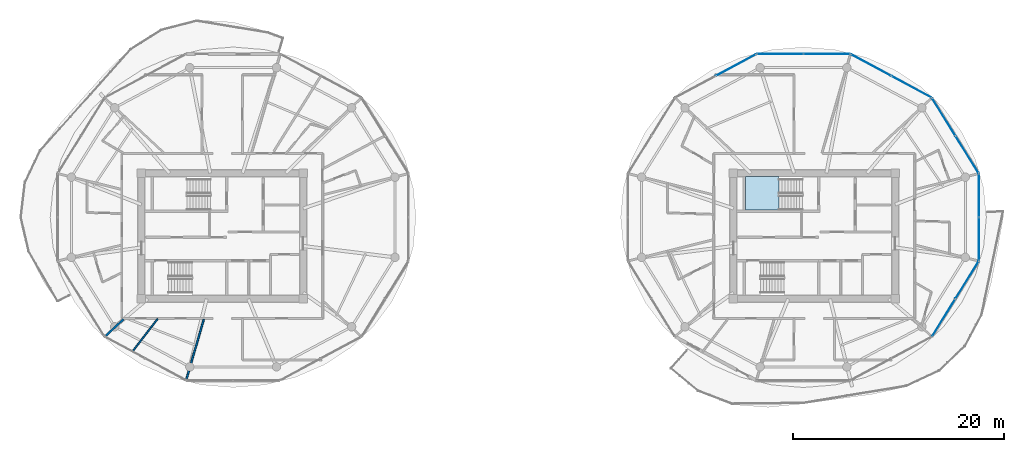
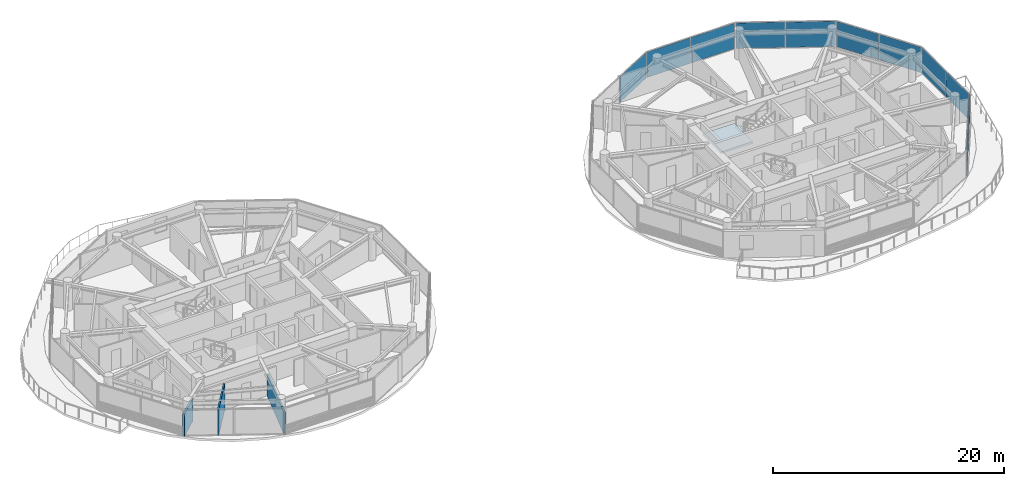
# One storey, part 12 of 24: 11 plates, 3 walls, 1 slab, 7 elements without a shape of their own.
"""IFC4 building model written with IfcOpenShell, lengths in metres."""

from ifc_helpers import new_model, si_unit, direction, frame, frame_2d, origin, origin_2d, place, context, subcontext, project, spatial, polyline, rectangle, outline, extrude, source, transform, mapped, material, layer, layer_set, type_object, type_shapes, element, aggregate, save


model = new_model("IFC4")

# Units and contexts
model_context = context("Model", 3, precision=1e-05, world=origin(), true_north=direction((0.0, 1.0)))
body_context = subcontext(model_context, "Body", "Model", "MODEL_VIEW")
ifc_project = project(units=[si_unit("LENGTHUNIT", "METRE"), si_unit("AREAUNIT", "SQUARE_METRE"), si_unit("VOLUMEUNIT", "CUBIC_METRE"), si_unit("PLANEANGLEUNIT", "RADIAN"), si_unit("MASSUNIT", "GRAM", prefix="KILO")], contexts=[model_context])

# Site, building, storey
site_placement = place(None, origin())
site = spatial("IfcSite", under=ifc_project, at=site_placement, CompositionType="ELEMENT")
building_placement = place(site_placement, origin())
building = spatial("IfcBuilding", under=site, at=building_placement, Name="Norrkilde Senior Care Towers", CompositionType="ELEMENT")
storey_placement = place(building_placement, frame((0.0, 0.0, 155.64990234375)))
storey = spatial("IfcBuildingStorey", under=building, at=storey_placement, Name="L48", CompositionType="ELEMENT", Elevation=155.64990234375)

# Stair, slab
ifc_material_1 = material(Name="Concrete C45/55", Category="concrete")
stair_type = type_object("IfcStairType", Name="Core Protected Dogleg Stair Typical 3050", PredefinedType="HALF_TURN_STAIR", material=ifc_material_1)
stair_placement = place(storey_placement, origin())
stair = element("IfcStair", 1, at=stair_placement, inside=storey, type_object=stair_type, Name="L48 Protected Core Stair E1", PredefinedType="HALF_TURN_STAIR")
ifc_layer_1 = layer(ifc_material_1, 0.199951171875)
ifc_layer_set_1 = layer_set([ifc_layer_1], Name="Concrete C45/55")
slab_type = type_object("IfcSlabType", Name="Stair Landing Slab 200", PredefinedType="LANDING", material=ifc_layer_set_1)
slab_placement = place(storey_placement, frame((0.0, 0.0, 1.3251953125)))
slab = element("IfcSlab", 2, at=slab_placement, type_object=slab_type, Name="ST-E1 landing 1", PredefinedType="LANDING", context=body_context, shape_type="SweptSolid", body=[
    extrude(outline(polyline([(24.659912109375, 5.639892578125), (21.5, 5.639892578125), (21.5, 2.449951171875), (24.659912109375, 2.449951171875), (24.659912109375, 5.639892578125)])), origin(), (0.0, 0.0, 1.0), 0.199951171875),
])
aggregate(stair, [slab])

# Curtain wall, plates
ifc_material_2 = material(Name="Triple Low-E Insulated Glazing", Category="glass")
ifc_layer_2 = layer(ifc_material_2, 0.18994140625)
ifc_layer_set_2 = layer_set([ifc_layer_2], Name="Triple Low-E Insulated Glazing")
curtain_wall_type = type_object("IfcCurtainWallType", Name="CW4 Zone 3 Senior Residence Curtain Wall", PredefinedType="NOTDEFINED", material=ifc_layer_set_2)
curtain_wall_1_placement = place(storey_placement, origin())
curtain_wall_1 = element("IfcCurtainWall", 3, at=curtain_wall_1_placement, inside=storey, type_object=curtain_wall_type, Name="L48 Drum E Curtain Wall 00", PredefinedType="NOTDEFINED")
ifc_layer_3 = layer(ifc_material_2, 0.035888671875)
ifc_layer_set_3 = layer_set([ifc_layer_3], Name="Triple Low-E Insulated Glazing")
plate_type = type_object("IfcPlateType", Name="Triple Low-E Vision Curtain Panel 36", PredefinedType="CURTAIN_PANEL", material=ifc_layer_set_3)
shared_shape_1 = source(origin(), body_context, "Body", "SweptSolid", [
    extrude(rectangle(XDim=4.1181640625, YDim=0.035888671875, at=origin_2d()), origin(), (0.0, 0.0, 1.0), 2.68994140625),
])
plate_1_placement = place(storey_placement, frame((40.243408203125, 11.270263671875, 0.06005859375), z_axis=(0.0, 0.0, 1.0), x_axis=(0.52737270789, -0.84963405474, 0.0)))
plate_1 = element("IfcPlate", 4, at=plate_1_placement, type_object=plate_type, Name="CW-4 panel 1.1", PredefinedType="CURTAIN_PANEL", context=body_context, shape_type="MappedRepresentation", body=[
    mapped(shared_shape_1, transform((0.0, 0.0, 0.0), x_axis=(1.0, 0.0, 0.0), y_axis=(0.0, 1.0, 0.0), z_axis=(0.0, 0.0, 1.0), scale=1.0)),
])
plate_2_placement = place(storey_placement, frame((42.449462890625, 7.716064453125, 0.06005859375), z_axis=(0.0, 0.0, 1.0), x_axis=(0.52737270789, -0.84963405474, 0.0)))
plate_2 = element("IfcPlate", 5, at=plate_2_placement, type_object=plate_type, Name="CW-4 panel 2.1", PredefinedType="CURTAIN_PANEL", context=body_context, shape_type="MappedRepresentation", body=[
    mapped(shared_shape_1, transform((0.0, 0.0, 0.0), x_axis=(1.0, 0.0, 0.0), y_axis=(0.0, 1.0, 0.0), z_axis=(0.0, 0.0, 1.0), scale=1.0)),
])
aggregate(curtain_wall_1, [plate_1, plate_2])

curtain_wall_2_placement = place(storey_placement, origin())
curtain_wall_2 = element("IfcCurtainWall", 6, at=curtain_wall_2_placement, inside=storey, type_object=curtain_wall_type, Name="L48 Drum E Curtain Wall 10", PredefinedType="NOTDEFINED")
plate_3_placement = place(storey_placement, frame((42.449462890625, -4.165283203125, 0.06005859375), z_axis=(0.0, 0.0, 1.0), x_axis=(-0.52737270789, -0.84963405474, 0.0)))
plate_3 = element("IfcPlate", 7, at=plate_3_placement, type_object=plate_type, Name="CW-4 panel 1.1", PredefinedType="CURTAIN_PANEL", context=body_context, shape_type="MappedRepresentation", body=[
    mapped(shared_shape_1, transform((0.0, 0.0, 0.0), x_axis=(1.0, 0.0, 0.0), y_axis=(0.0, 1.0, 0.0), z_axis=(0.0, 0.0, 1.0), scale=1.0)),
])
plate_4_placement = place(storey_placement, frame((40.243408203125, -7.719482421875, 0.06005859375), z_axis=(0.0, 0.0, 1.0), x_axis=(-0.52737270789, -0.84963405474, 0.0)))
plate_4 = element("IfcPlate", 8, at=plate_4_placement, type_object=plate_type, Name="CW-4 panel 2.1", PredefinedType="CURTAIN_PANEL", context=body_context, shape_type="MappedRepresentation", body=[
    mapped(shared_shape_1, transform((0.0, 0.0, 0.0), x_axis=(1.0, 0.0, 0.0), y_axis=(0.0, 1.0, 0.0), z_axis=(0.0, 0.0, 1.0), scale=1.0)),
])
aggregate(curtain_wall_2, [plate_3, plate_4])

curtain_wall_3_placement = place(storey_placement, origin())
curtain_wall_3 = element("IfcCurtainWall", 9, at=curtain_wall_3_placement, inside=storey, type_object=curtain_wall_type, Name="L48 Drum E Curtain Wall 01", PredefinedType="NOTDEFINED")
shared_shape_2 = source(origin(), body_context, "Body", "SweptSolid", [
    extrude(rectangle(XDim=4.2734375, YDim=0.035888671875, at=origin_2d()), origin(), (0.0, 0.0, 1.0), 2.68994140625),
])
plate_5_placement = place(storey_placement, frame((33.361328125, 16.169189453125, 0.06005859375), z_axis=(0.0, 0.0, 1.0), x_axis=(0.880999524059, -0.47311715104, 0.0)))
plate_5 = element("IfcPlate", 10, at=plate_5_placement, type_object=plate_type, Name="CW-4 panel 1.1", PredefinedType="CURTAIN_PANEL", context=body_context, shape_type="MappedRepresentation", body=[
    mapped(shared_shape_2, transform((0.0, 0.0, 0.0), x_axis=(1.0, 0.0, 0.0), y_axis=(0.0, 1.0, 0.0), z_axis=(0.0, 0.0, 1.0), scale=1.0)),
])
plate_6_placement = place(storey_placement, frame((37.183349609375, 14.11669921875, 0.06005859375), z_axis=(0.0, 0.0, 1.0), x_axis=(0.880999524059, -0.47311715104, 0.0)))
plate_6 = element("IfcPlate", 11, at=plate_6_placement, type_object=plate_type, Name="CW-4 panel 2.1", PredefinedType="CURTAIN_PANEL", context=body_context, shape_type="MappedRepresentation", body=[
    mapped(shared_shape_2, transform((0.0, 0.0, 0.0), x_axis=(1.0, 0.0, 0.0), y_axis=(0.0, 1.0, 0.0), z_axis=(0.0, 0.0, 1.0), scale=1.0)),
])
aggregate(curtain_wall_3, [plate_5, plate_6])

# Curtain wall, plate
curtain_wall_4_placement = place(storey_placement, origin())
curtain_wall_4 = element("IfcCurtainWall", 12, at=curtain_wall_4_placement, inside=storey, type_object=curtain_wall_type, Name="L48 Drum E Curtain Wall 03", PredefinedType="NOTDEFINED")
plate_7_placement = place(storey_placement, frame((20.5888671875, 16.169189453125, 0.06005859375), z_axis=(0.0, 0.0, 1.0), x_axis=(0.880999524059, 0.47311715104, 0.0)))
plate_7 = element("IfcPlate", 13, at=plate_7_placement, type_object=plate_type, Name="CW-4 panel 2.1", PredefinedType="CURTAIN_PANEL", context=body_context, shape_type="MappedRepresentation", body=[
    mapped(shared_shape_2, transform((0.0, 0.0, 0.0), x_axis=(1.0, 0.0, 0.0), y_axis=(0.0, 1.0, 0.0), z_axis=(0.0, 0.0, 1.0), scale=1.0)),
])
aggregate(curtain_wall_4, [plate_7])

# Curtain wall, plates
curtain_wall_5_placement = place(storey_placement, origin())
curtain_wall_5 = element("IfcCurtainWall", 14, at=curtain_wall_5_placement, inside=storey, type_object=curtain_wall_type, Name="L48 Drum E Curtain Wall 11", PredefinedType="NOTDEFINED")
shared_shape_3 = source(origin(), body_context, "Body", "SweptSolid", [
    extrude(rectangle(XDim=4.038330078125, YDim=0.035888671875, at=origin_2d()), origin(), (0.0, 0.0, 1.0), 2.68994140625),
])
plate_8_placement = place(storey_placement, frame((43.569580078125, 3.8271484375, 0.06005859375), z_axis=(0.0, 0.0, 1.0), x_axis=(0.0, -1.0, 0.0)))
plate_8 = element("IfcPlate", 15, at=plate_8_placement, type_object=plate_type, Name="CW-4 panel 1.1", PredefinedType="CURTAIN_PANEL", context=body_context, shape_type="MappedRepresentation", body=[
    mapped(shared_shape_3, transform((0.0, 0.0, 0.0), x_axis=(1.0, 0.0, 0.0), y_axis=(0.0, 1.0, 0.0), z_axis=(0.0, 0.0, 1.0), scale=1.0)),
])
plate_9_placement = place(storey_placement, frame((43.569580078125, -0.2763671875, 0.06005859375), z_axis=(0.0, 0.0, 1.0), x_axis=(0.0, -1.0, 0.0)))
plate_9 = element("IfcPlate", 16, at=plate_9_placement, type_object=plate_type, Name="CW-4 panel 2.1", PredefinedType="CURTAIN_PANEL", context=body_context, shape_type="MappedRepresentation", body=[
    mapped(shared_shape_3, transform((0.0, 0.0, 0.0), x_axis=(1.0, 0.0, 0.0), y_axis=(0.0, 1.0, 0.0), z_axis=(0.0, 0.0, 1.0), scale=1.0)),
])
aggregate(curtain_wall_5, [plate_8, plate_9])

curtain_wall_6_placement = place(storey_placement, origin())
curtain_wall_6 = element("IfcCurtainWall", 17, at=curtain_wall_6_placement, inside=storey, type_object=curtain_wall_type, Name="L48 Drum E Curtain Wall 02", PredefinedType="NOTDEFINED")
shared_shape_4 = source(origin(), body_context, "Body", "SweptSolid", [
    extrude(rectangle(XDim=4.34912109375, YDim=0.035888671875, at=origin_2d()), origin(), (0.0, 0.0, 1.0), 2.68994140625),
])
type_shapes(plate_type, [shared_shape_1, shared_shape_2, shared_shape_3, shared_shape_4])
plate_10_placement = place(storey_placement, frame((24.76806640625, 17.2109375, 0.06005859375), z_axis=(0.0, 0.0, 1.0), x_axis=(1.0, 0.0, 0.0)))
plate_10 = element("IfcPlate", 18, at=plate_10_placement, type_object=plate_type, Name="CW-4 panel 1.1", PredefinedType="CURTAIN_PANEL", context=body_context, shape_type="MappedRepresentation", body=[
    mapped(shared_shape_4, transform((0.0, 0.0, 0.0), x_axis=(1.0, 0.0, 0.0), y_axis=(0.0, 1.0, 0.0), z_axis=(0.0, 0.0, 1.0), scale=1.0)),
])
plate_11_placement = place(storey_placement, frame((29.181884765625, 17.2109375, 0.06005859375), z_axis=(0.0, 0.0, 1.0), x_axis=(1.0, 0.0, 0.0)))
plate_11 = element("IfcPlate", 19, at=plate_11_placement, type_object=plate_type, Name="CW-4 panel 2.1", PredefinedType="CURTAIN_PANEL", context=body_context, shape_type="MappedRepresentation", body=[
    mapped(shared_shape_4, transform((0.0, 0.0, 0.0), x_axis=(1.0, 0.0, 0.0), y_axis=(0.0, 1.0, 0.0), z_axis=(0.0, 0.0, 1.0), scale=1.0)),
])
aggregate(curtain_wall_6, [plate_10, plate_11])

# Walls
ifc_material_3 = material(Name="Gypsum Acoustic Board")
ifc_layer_4 = layer(ifc_material_3, 0.1650390625)
ifc_layer_set_4 = layer_set([ifc_layer_4], Name="Gypsum Acoustic Board")
wall_type_1 = type_object("IfcWallType", Name="Corridor Rated Partition 165", PredefinedType="PARTITIONING", material=ifc_layer_set_4)
shared_shape_5 = source(origin(), body_context, "Body", "SweptSolid", [
    extrude(rectangle(XDim=6.035400390625, YDim=0.1650390625, at=frame_2d((3.017578125, 0.0))), origin(), (0.0, 0.0, 1.0), 2.34521484375),
])
type_shapes(wall_type_1, [shared_shape_5])
wall_1_placement = place(storey_placement, frame((-29.756103515625, -7.8798828125, 0.0), z_axis=(0.0, 0.0, 1.0), x_axis=(-0.276809454862, -0.960924828329, 0.0)))
element("IfcWall", 20, at=wall_1_placement, inside=storey, type_object=wall_type_1, Name="WL-INT-L48-W-DEM-08-0", PredefinedType="PARTITIONING", context=body_context, shape_type="MappedRepresentation", body=[
    mapped(shared_shape_5, transform((0.0, 0.0, 0.0), x_axis=(1.0, 0.0, 0.0), y_axis=(0.0, 1.0, 0.0), z_axis=(0.0, 0.0, 1.0), scale=1.0)),
])
ifc_layer_5 = layer(ifc_material_3, 0.18994140625)
ifc_layer_set_5 = layer_set([ifc_layer_5], Name="Gypsum Acoustic Board")
wall_type_2 = type_object("IfcWallType", Name="Unit Demising Acoustic Wall 190", PredefinedType="PARTITIONING", material=ifc_layer_set_5)
shared_shape_6 = source(origin(), body_context, "Body", "SweptSolid", [
    extrude(rectangle(XDim=2.434814453125, YDim=0.18994140625, at=frame_2d((1.21728515625, 0.0))), origin(), (0.0, 0.0, 1.0), 2.34521484375),
])
type_shapes(wall_type_2, [shared_shape_6])
wall_2_placement = place(storey_placement, frame((-37.3544921875, -7.8798828125, 0.0), z_axis=(0.0, 0.0, 1.0), x_axis=(-0.732164643118, -0.681127693878, 0.0)))
element("IfcWall", 21, at=wall_2_placement, inside=storey, type_object=wall_type_2, Name="WL-INT-L48-W-DEM-07-0", PredefinedType="PARTITIONING", context=body_context, shape_type="MappedRepresentation", body=[
    mapped(shared_shape_6, transform((0.0, 0.0, 0.0), x_axis=(1.0, 0.0, 0.0), y_axis=(0.0, 1.0, 0.0), z_axis=(0.0, 0.0, 1.0), scale=1.0)),
])
ifc_layer_6 = layer(ifc_material_3, 0.139892578125)
ifc_layer_set_6 = layer_set([ifc_layer_6], Name="Gypsum Acoustic Board")
wall_type_3 = type_object("IfcWallType", Name="En-suite Wet Room Wall 140", PredefinedType="PARTITIONING", material=ifc_layer_set_6)
shared_shape_7 = source(origin(), body_context, "Body", "SweptSolid", [
    extrude(rectangle(XDim=3.9365234375, YDim=0.139892578125, at=frame_2d((1.96826171875, 0.0))), origin(), (0.0, 0.0, 1.0), 2.795166015625),
])
type_shapes(wall_type_3, [shared_shape_7])
wall_3_placement = place(storey_placement, frame((-34.1103515625, -7.830078125, 0.0), z_axis=(0.0, 0.0, 1.0), x_axis=(-0.611016723561, -0.791617687731, 0.0)))
element("IfcWall", 22, at=wall_3_placement, inside=storey, type_object=wall_type_3, Name="WL-INT-L48-W-MID-07", PredefinedType="PARTITIONING", context=body_context, shape_type="MappedRepresentation", body=[
    mapped(shared_shape_7, transform((0.0, 0.0, 0.0), x_axis=(1.0, 0.0, 0.0), y_axis=(0.0, 1.0, 0.0), z_axis=(0.0, 0.0, 1.0), scale=1.0)),
])

save(model, "model.ifc")
